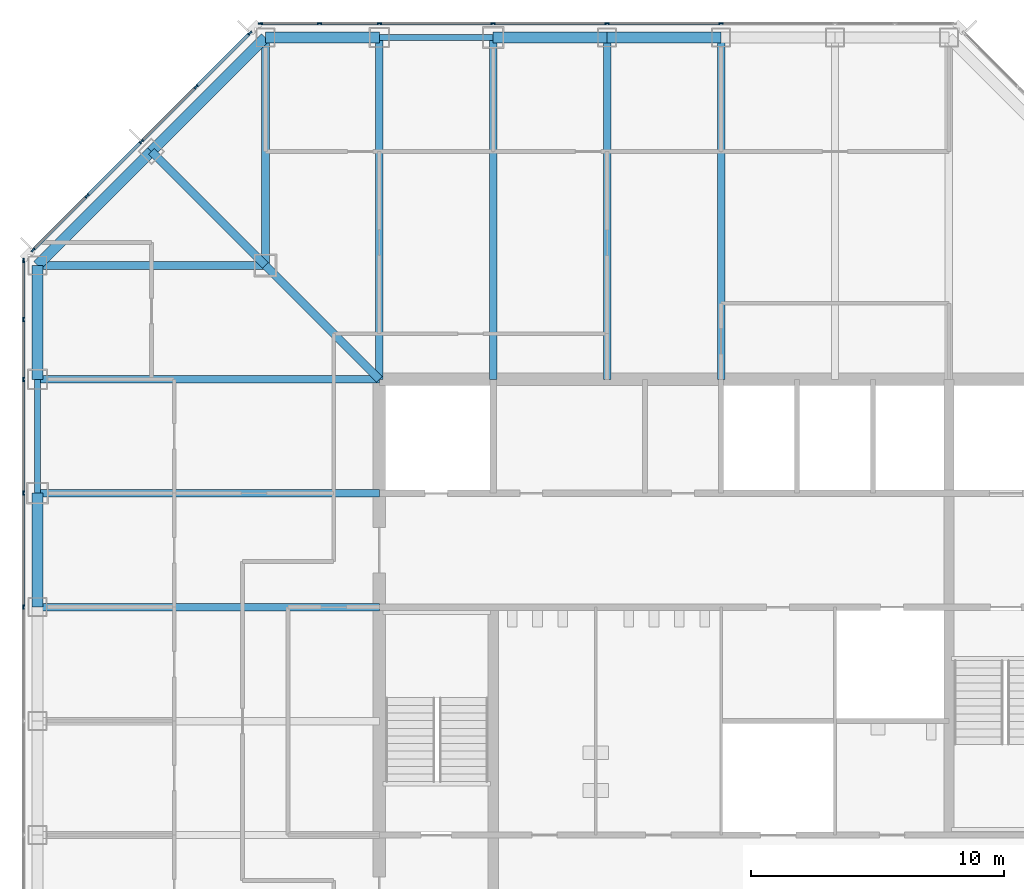
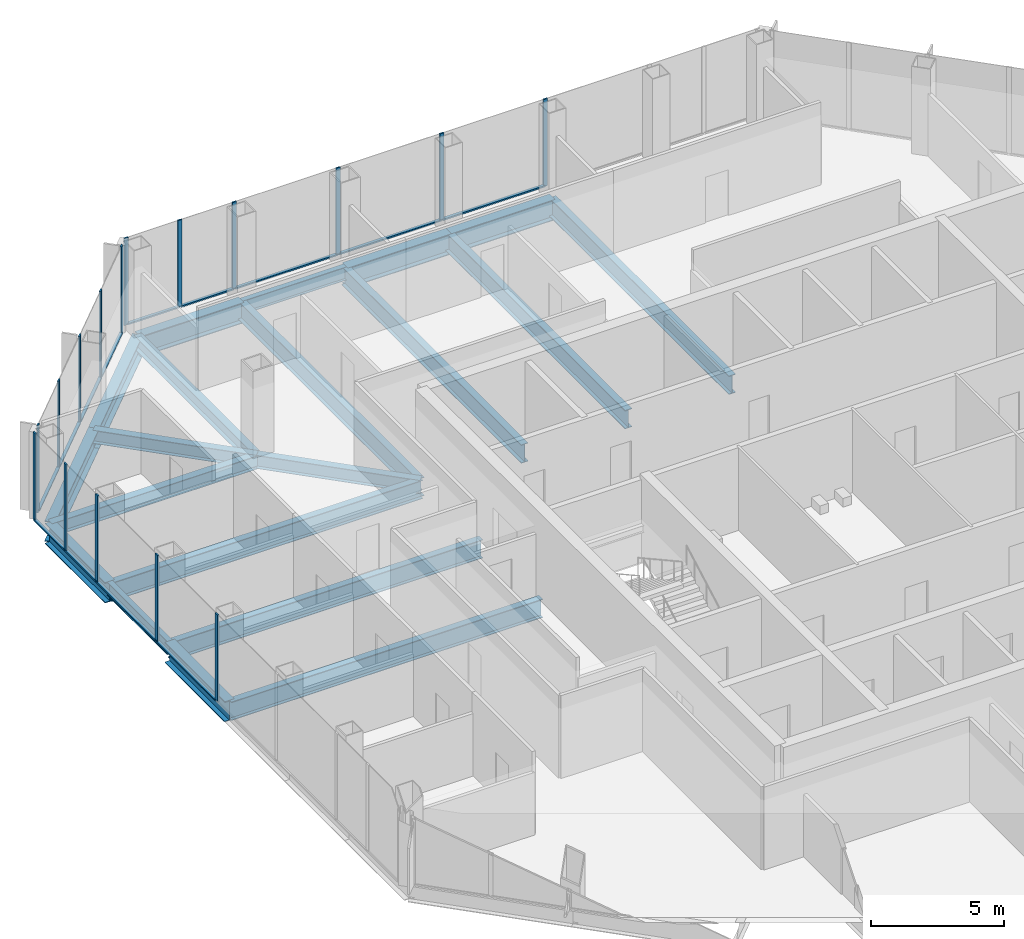
# One storey, part 5 of 13: 29 members, 20 beams, 3 elements without a shape of their own.
"""IFC4 building model written with IfcOpenShell, lengths in metres."""

from ifc_helpers import new_model, si_unit, direction, frame, origin, origin_2d, place, context, subcontext, project, spatial, rectangle, i_section, extrude, material, material_profile, profile_set, type_object, element, aggregate, save


model = new_model("IFC4")

# Units and contexts
model_context = context("Model", 3, precision=1e-05, world=origin(), true_north=direction((0.0, 1.0)))
body_context = subcontext(model_context, "Body", "Model", "MODEL_VIEW")
ifc_project = project(units=[si_unit("LENGTHUNIT", "METRE"), si_unit("AREAUNIT", "SQUARE_METRE"), si_unit("VOLUMEUNIT", "CUBIC_METRE"), si_unit("PLANEANGLEUNIT", "RADIAN"), si_unit("MASSUNIT", "GRAM", prefix="KILO")], contexts=[model_context])

# Site, building, storey
site_placement = place(None, origin())
site = spatial("IfcSite", under=ifc_project, at=site_placement, CompositionType="ELEMENT")
building_placement = place(site_placement, origin())
building = spatial("IfcBuilding", under=site, at=building_placement, Name="Corais Broadcast Tower", CompositionType="ELEMENT")
storey_placement = place(building_placement, frame((0.0, 0.0, 195.60009765625)))
storey = spatial("IfcBuildingStorey", under=building, at=storey_placement, Name="L45", CompositionType="ELEMENT", Elevation=195.60009765625)

# Beams
ifc_material_1 = material(Name="Steel ASTM A572 Grade 50", Category="steel")
ifc_material_profile_1 = material_profile(ifc_material_1, i_section(OverallWidth=0.323974609375, OverallDepth=0.611083984375, WebThickness=0.0126953125, FlangeThickness=0.01904296875, at=origin_2d()), Name="W610x155")
ifc_profile_set_1 = profile_set([ifc_material_profile_1], Name="Steel ASTM A572 Grade 50")
beam_type_1 = type_object("IfcBeamType", Name="Chamfer tie W610x155", PredefinedType="BEAM", material=ifc_profile_set_1)
beam_1_placement = place(storey_placement, frame((4.5, 49.5, -0.465576171875), z_axis=(0.707106781187, -0.707106781187, 0.0), x_axis=(0.707106781187, 0.707106781187, 0.0)))
element("IfcBeam", 1, at=beam_1_placement, inside=storey, type_object=beam_type_1, Name="B5 M/4 to L/5", PredefinedType="BEAM", context=body_context, shape_type="SweptSolid", body=[
    extrude(i_section(OverallWidth=0.323974609375, OverallDepth=0.611083984375, WebThickness=0.0126953125, FlangeThickness=0.01904296875, at=origin_2d()), origin(), (0.0, 0.0, 1.0), 6.364013671875),
])
ifc_material_2 = material(Name="Steel ASTM A572 Grade 50", Category="steel")
ifc_material_profile_2 = material_profile(ifc_material_2, i_section(OverallWidth=0.323974609375, OverallDepth=0.611083984375, WebThickness=0.0126953125, FlangeThickness=0.01904296875, at=origin_2d()), Name="W610x155")
ifc_profile_set_2 = profile_set([ifc_material_profile_2], Name="Steel ASTM A572 Grade 50")
beam_type_2 = type_object("IfcBeamType", Name="Corner diagonal W610x155", PredefinedType="BEAM", material=ifc_profile_set_2)
beam_2_placement = place(storey_placement, frame((9.0, 45.0, -0.465576171875), z_axis=(0.707106781187, -0.707106781187, 0.0), x_axis=(0.707106781187, 0.707106781187, 0.0)))
element("IfcBeam", 2, at=beam_2_placement, inside=storey, type_object=beam_type_2, Name="B6 L/5 to K/6", PredefinedType="BEAM", context=body_context, shape_type="SweptSolid", body=[
    extrude(i_section(OverallWidth=0.323974609375, OverallDepth=0.611083984375, WebThickness=0.0126953125, FlangeThickness=0.01904296875, at=origin_2d()), origin(), (0.0, 0.0, 1.0), 6.364013671875),
])
ifc_material_3 = material(Name="Steel ASTM A572 Grade 50", Category="steel")
ifc_material_profile_3 = material_profile(ifc_material_3, i_section(OverallWidth=0.323974609375, OverallDepth=0.611083984375, WebThickness=0.0126953125, FlangeThickness=0.01904296875, at=origin_2d()), Name="W610x155")
ifc_profile_set_3 = profile_set([ifc_material_profile_3], Name="Steel ASTM A572 Grade 50")
beam_type_3 = type_object("IfcBeamType", Name="Corner girder W610x155", PredefinedType="BEAM", material=ifc_profile_set_3)
for number, where, z_axis, x_axis, name in (
    (3, (0.0, 45.0, -0.465576171875), (1.0, 0.0, 0.0), (0.0, 1.0, 0.0), "B4 L/3 to L/5"),
    (4, (9.0, 54.0, -0.465576171875), (0.0, -1.0, 0.0), (1.0, 0.0, 0.0), "B4 N/5 to L/5"),
):
    element("IfcBeam", number, at=place(storey_placement, frame(where, z_axis=z_axis, x_axis=x_axis)), inside=storey, type_object=beam_type_3, Name=name, PredefinedType="BEAM", context=body_context, shape_type="SweptSolid", body=[
        extrude(i_section(OverallWidth=0.323974609375, OverallDepth=0.611083984375, WebThickness=0.0126953125, FlangeThickness=0.01904296875, at=origin_2d()), origin(), (0.0, 0.0, 1.0), 9.0),
    ])
ifc_material_4 = material(Name="Steel ASTM A572 Grade 50", Category="steel")
ifc_material_profile_4 = material_profile(ifc_material_4, i_section(OverallWidth=0.2939453125, OverallDepth=0.85107421875, WebThickness=0.01611328125, FlangeThickness=0.02685546875, at=origin_2d()), Name="W840x226")
ifc_profile_set_4 = profile_set([ifc_material_profile_4], Name="Steel ASTM A572 Grade 50")
beam_type_4 = type_object("IfcBeamType", Name="Floor beam W840x226", PredefinedType="BEAM", material=ifc_profile_set_4)
for number, where, z_axis, x_axis, name in (
    (5, (0.0, 31.5, -0.585693359375), (1.0, 0.0, 0.0), (0.0, 1.0, 0.0), "B1 H/3 to H/6"),
    (6, (0.0, 36.0, -0.585693359375), (1.0, 0.0, 0.0), (0.0, 1.0, 0.0), "B1 J/3 to J/6"),
    (7, (0.0, 40.5, -0.585693359375), (1.0, 0.0, 0.0), (0.0, 1.0, 0.0), "B1 K/3 to K/6"),
    (8, (13.5, 54.0, -0.585693359375), (0.0, -1.0, 0.0), (1.0, 0.0, 0.0), "B1 N/6 to K/6"),
    (9, (18.0, 54.0, -0.585693359375), (0.0, -1.0, 0.0), (1.0, 0.0, 0.0), "B1 N/7 to K/7"),
    (10, (22.5, 54.0, -0.585693359375), (0.0, -1.0, 0.0), (1.0, 0.0, 0.0), "B1 N/8 to K/8"),
    (11, (27.0, 54.0, -0.585693359375), (0.0, -1.0, 0.0), (1.0, 0.0, 0.0), "B1 N/9 to K/9"),
):
    element("IfcBeam", number, at=place(storey_placement, frame(where, z_axis=z_axis, x_axis=x_axis)), inside=storey, type_object=beam_type_4, Name=name, PredefinedType="BEAM", context=body_context, shape_type="SweptSolid", body=[
        extrude(i_section(OverallWidth=0.2939453125, OverallDepth=0.85107421875, WebThickness=0.01611328125, FlangeThickness=0.02685546875, at=origin_2d()), origin(), (0.0, 0.0, 1.0), 13.5),
    ])

# Curtain wall, members
ifc_material_5 = material(Name="Aluminium and glass", Category="aluminium")
curtain_wall_type = type_object("IfcCurtainWallType", Name="Unitised fritted curtain wall CW2", PredefinedType="NOTDEFINED", material=ifc_material_5)
curtain_wall_1_placement = place(storey_placement, origin())
curtain_wall_1 = element("IfcCurtainWall", 12, at=curtain_wall_1_placement, inside=storey, type_object=curtain_wall_type, Name="CW2 curtain wall L45 2", PredefinedType="NOTDEFINED")
ifc_material_6 = material(Name="Aluminium 6063-T6", Category="aluminium")
ifc_material_profile_5 = material_profile(ifc_material_6, rectangle(XDim=0.06494140625, YDim=0.179931640625, at=origin_2d()), Name="Mullion CW2 65x180")
ifc_profile_set_5 = profile_set([ifc_material_profile_5], Name="Aluminium 6063-T6")
member_type_1 = type_object("IfcMemberType", Name="Mullion CW2 65x180", PredefinedType="MULLION", material=ifc_profile_set_5)
member_1_placement = place(storey_placement, frame((-0.550048828125, 31.5, 0.0), z_axis=(0.0, 0.0, 1.0), x_axis=(-1.0, 0.0, 0.0)))
member_1 = element("IfcMember", 13, at=member_1_placement, type_object=member_type_1, Name="CW2 mullion 5", PredefinedType="MULLION", context=body_context, shape_type="SweptSolid", body=[
    extrude(rectangle(XDim=0.06494140625, YDim=0.179931640625, at=origin_2d()), origin(), (0.0, 0.0, 1.0), 4.0),
])
member_2_placement = place(storey_placement, frame((-0.550048828125, 36.0, 0.0), z_axis=(0.0, 0.0, 1.0), x_axis=(-1.0, 0.0, 0.0)))
member_2 = element("IfcMember", 14, at=member_2_placement, type_object=member_type_1, Name="CW2 mullion 6", PredefinedType="MULLION", context=body_context, shape_type="SweptSolid", body=[
    extrude(rectangle(XDim=0.06494140625, YDim=0.179931640625, at=origin_2d()), origin(), (0.0, 0.0, 1.0), 4.0),
])
member_3_placement = place(storey_placement, frame((-0.550048828125, 40.5, 0.0), z_axis=(0.0, 0.0, 1.0), x_axis=(-1.0, 0.0, 0.0)))
member_3 = element("IfcMember", 15, at=member_3_placement, type_object=member_type_1, Name="CW2 mullion 7", PredefinedType="MULLION", context=body_context, shape_type="SweptSolid", body=[
    extrude(rectangle(XDim=0.06494140625, YDim=0.179931640625, at=origin_2d()), origin(), (0.0, 0.0, 1.0), 4.0),
])
member_4_placement = place(storey_placement, frame((-0.550048828125, 42.864013671875, 0.0), z_axis=(0.0, 0.0, 1.0), x_axis=(-1.0, 0.0, 0.0)))
member_4 = element("IfcMember", 16, at=member_4_placement, type_object=member_type_1, Name="CW2 mullion 8", PredefinedType="MULLION", context=body_context, shape_type="SweptSolid", body=[
    extrude(rectangle(XDim=0.06494140625, YDim=0.179931640625, at=origin_2d()), origin(), (0.0, 0.0, 1.0), 4.0),
])
member_5_placement = place(storey_placement, frame((-0.550048828125, 45.1953125, 0.0), z_axis=(0.0, 0.0, 1.0), x_axis=(-1.0, 0.0, 0.0)))
member_5 = element("IfcMember", 17, at=member_5_placement, type_object=member_type_1, Name="CW2 mullion 9", PredefinedType="MULLION", context=body_context, shape_type="SweptSolid", body=[
    extrude(rectangle(XDim=0.06494140625, YDim=0.179931640625, at=origin_2d()), origin(), (0.0, 0.0, 1.0), 4.0),
])

curtain_wall_2_placement = place(storey_placement, origin())
curtain_wall_2 = element("IfcCurtainWall", 18, at=curtain_wall_2_placement, inside=storey, type_object=curtain_wall_type, Name="CW2 curtain wall L45 3", PredefinedType="NOTDEFINED")
member_6_placement = place(storey_placement, frame((-0.17333984375, 45.6044921875, 0.0), z_axis=(0.0, 0.0, 1.0), x_axis=(-0.707106781187, 0.707106781187, 0.0)))
member_6 = element("IfcMember", 19, at=member_6_placement, type_object=member_type_1, Name="CW2 mullion 1", PredefinedType="MULLION", context=body_context, shape_type="SweptSolid", body=[
    extrude(rectangle(XDim=0.06494140625, YDim=0.179931640625, at=origin_2d()), origin(), (0.0, 0.0, 1.0), 4.0),
])
member_7_placement = place(storey_placement, frame((1.957275390625, 47.735107421875, 0.0), z_axis=(0.0, 0.0, 1.0), x_axis=(-0.707106781187, 0.707106781187, 0.0)))
member_7 = element("IfcMember", 20, at=member_7_placement, type_object=member_type_1, Name="CW2 mullion 2", PredefinedType="MULLION", context=body_context, shape_type="SweptSolid", body=[
    extrude(rectangle(XDim=0.06494140625, YDim=0.179931640625, at=origin_2d()), origin(), (0.0, 0.0, 1.0), 4.0),
])
member_8_placement = place(storey_placement, frame((4.111083984375, 49.888916015625, 0.0), z_axis=(0.0, 0.0, 1.0), x_axis=(-0.707106781187, 0.707106781187, 0.0)))
member_8 = element("IfcMember", 21, at=member_8_placement, type_object=member_type_1, Name="CW2 mullion 3", PredefinedType="MULLION", context=body_context, shape_type="SweptSolid", body=[
    extrude(rectangle(XDim=0.06494140625, YDim=0.179931640625, at=origin_2d()), origin(), (0.0, 0.0, 1.0), 4.0),
])
member_9_placement = place(storey_placement, frame((6.264892578125, 52.042724609375, 0.0), z_axis=(0.0, 0.0, 1.0), x_axis=(-0.707106781187, 0.707106781187, 0.0)))
member_9 = element("IfcMember", 22, at=member_9_placement, type_object=member_type_1, Name="CW2 mullion 4", PredefinedType="MULLION", context=body_context, shape_type="SweptSolid", body=[
    extrude(rectangle(XDim=0.06494140625, YDim=0.179931640625, at=origin_2d()), origin(), (0.0, 0.0, 1.0), 4.0),
])
member_10_placement = place(storey_placement, frame((8.3955078125, 54.17333984375, 0.0), z_axis=(0.0, 0.0, 1.0), x_axis=(-0.707106781187, 0.707106781187, 0.0)))
member_10 = element("IfcMember", 23, at=member_10_placement, type_object=member_type_1, Name="CW2 mullion 5", PredefinedType="MULLION", context=body_context, shape_type="SweptSolid", body=[
    extrude(rectangle(XDim=0.06494140625, YDim=0.179931640625, at=origin_2d()), origin(), (0.0, 0.0, 1.0), 4.0),
])

curtain_wall_3_placement = place(storey_placement, origin())
curtain_wall_3 = element("IfcCurtainWall", 24, at=curtain_wall_3_placement, inside=storey, type_object=curtain_wall_type, Name="CW2 curtain wall L45 4", PredefinedType="NOTDEFINED")
member_11_placement = place(storey_placement, frame((8.8046875, 54.550048828125, 0.0), z_axis=(0.0, 0.0, 1.0), x_axis=(0.0, 1.0, 0.0)))
member_11 = element("IfcMember", 25, at=member_11_placement, type_object=member_type_1, Name="CW2 mullion 1", PredefinedType="MULLION", context=body_context, shape_type="SweptSolid", body=[
    extrude(rectangle(XDim=0.06494140625, YDim=0.179931640625, at=origin_2d()), origin(), (0.0, 0.0, 1.0), 4.0),
])
member_12_placement = place(storey_placement, frame((11.135986328125, 54.550048828125, 0.0), z_axis=(0.0, 0.0, 1.0), x_axis=(0.0, 1.0, 0.0)))
member_12 = element("IfcMember", 26, at=member_12_placement, type_object=member_type_1, Name="CW2 mullion 2", PredefinedType="MULLION", context=body_context, shape_type="SweptSolid", body=[
    extrude(rectangle(XDim=0.06494140625, YDim=0.179931640625, at=origin_2d()), origin(), (0.0, 0.0, 1.0), 4.0),
])
member_13_placement = place(storey_placement, frame((13.5, 54.550048828125, 0.0), z_axis=(0.0, 0.0, 1.0), x_axis=(0.0, 1.0, 0.0)))
member_13 = element("IfcMember", 27, at=member_13_placement, type_object=member_type_1, Name="CW2 mullion 3", PredefinedType="MULLION", context=body_context, shape_type="SweptSolid", body=[
    extrude(rectangle(XDim=0.06494140625, YDim=0.179931640625, at=origin_2d()), origin(), (0.0, 0.0, 1.0), 4.0),
])
member_14_placement = place(storey_placement, frame((18.0, 54.550048828125, 0.0), z_axis=(0.0, 0.0, 1.0), x_axis=(0.0, 1.0, 0.0)))
member_14 = element("IfcMember", 28, at=member_14_placement, type_object=member_type_1, Name="CW2 mullion 4", PredefinedType="MULLION", context=body_context, shape_type="SweptSolid", body=[
    extrude(rectangle(XDim=0.06494140625, YDim=0.179931640625, at=origin_2d()), origin(), (0.0, 0.0, 1.0), 4.0),
])
member_15_placement = place(storey_placement, frame((22.5, 54.550048828125, 0.0), z_axis=(0.0, 0.0, 1.0), x_axis=(0.0, 1.0, 0.0)))
member_15 = element("IfcMember", 29, at=member_15_placement, type_object=member_type_1, Name="CW2 mullion 5", PredefinedType="MULLION", context=body_context, shape_type="SweptSolid", body=[
    extrude(rectangle(XDim=0.06494140625, YDim=0.179931640625, at=origin_2d()), origin(), (0.0, 0.0, 1.0), 4.0),
])
member_16_placement = place(storey_placement, frame((27.0, 54.550048828125, 0.0), z_axis=(0.0, 0.0, 1.0), x_axis=(0.0, 1.0, 0.0)))
member_16 = element("IfcMember", 30, at=member_16_placement, type_object=member_type_1, Name="CW2 mullion 6", PredefinedType="MULLION", context=body_context, shape_type="SweptSolid", body=[
    extrude(rectangle(XDim=0.06494140625, YDim=0.179931640625, at=origin_2d()), origin(), (0.0, 0.0, 1.0), 4.0),
])

# Beams
ifc_material_7 = material(Name="Steel ASTM A572 Grade 50", Category="steel")
ifc_material_profile_6 = material_profile(ifc_material_7, i_section(OverallWidth=0.22900390625, OverallDepth=0.612060546875, WebThickness=0.011962890625, FlangeThickness=0.01953125, at=origin_2d()), Name="W610x125")
ifc_profile_set_6 = profile_set([ifc_material_profile_6], Name="Steel ASTM A572 Grade 50")
beam_type_5 = type_object("IfcBeamType", Name="Pinned spandrel W610x125", PredefinedType="BEAM", material=ifc_profile_set_6)
for number, where, z_axis, x_axis, name in (
    (31, (0.0, 40.5, -0.466064453125), (0.0, -1.0, 0.0), (1.0, 0.0, 0.0), "SB7 K/3 to J/3"),
    (32, (18.0, 54.0, -0.466064453125), (-1.0, 0.0, 0.0), (0.0, -1.0, 0.0), "SB7 N/7 to N/6"),
):
    element("IfcBeam", number, at=place(storey_placement, frame(where, z_axis=z_axis, x_axis=x_axis)), inside=storey, type_object=beam_type_5, Name=name, PredefinedType="BEAM", context=body_context, shape_type="SweptSolid", body=[
        extrude(i_section(OverallWidth=0.22900390625, OverallDepth=0.612060546875, WebThickness=0.011962890625, FlangeThickness=0.01953125, at=origin_2d()), origin(), (0.0, 0.0, 1.0), 4.5),
    ])
ifc_material_8 = material(Name="Steel ASTM A572 Grade 50", Category="steel")
ifc_material_profile_7 = material_profile(ifc_material_8, i_section(OverallWidth=0.4189453125, OverallDepth=0.94189453125, WebThickness=0.022216796875, FlangeThickness=0.03662109375, at=origin_2d()), Name="W920x345")
ifc_profile_set_7 = profile_set([ifc_material_profile_7], Name="Steel ASTM A572 Grade 50")
beam_type_6 = type_object("IfcBeamType", Name="Transfer spandrel W920x345", PredefinedType="BEAM", material=ifc_profile_set_7)
for number, where, z_axis, x_axis, name in (
    (33, (0.0, 36.0, -0.631103515625), (0.0, -1.0, 0.0), (1.0, 0.0, 0.0), "SB4 J/3 to H/3"),
    (34, (0.0, 45.0, -0.631103515625), (0.0, -1.0, 0.0), (1.0, 0.0, 0.0), "SB4 L/3 to K/3"),
    (35, (13.5, 54.0, -0.631103515625), (-1.0, 0.0, 0.0), (0.0, -1.0, 0.0), "SB4 N/6 to N/5"),
    (36, (22.5, 54.0, -0.631103515625), (-1.0, 0.0, 0.0), (0.0, -1.0, 0.0), "SB4 N/8 to N/7"),
    (37, (27.0, 54.0, -0.631103515625), (-1.0, 0.0, 0.0), (0.0, -1.0, 0.0), "SB4 N/9 to N/8"),
):
    element("IfcBeam", number, at=place(storey_placement, frame(where, z_axis=z_axis, x_axis=x_axis)), inside=storey, type_object=beam_type_6, Name=name, PredefinedType="BEAM", context=body_context, shape_type="SweptSolid", body=[
        extrude(i_section(OverallWidth=0.4189453125, OverallDepth=0.94189453125, WebThickness=0.022216796875, FlangeThickness=0.03662109375, at=origin_2d()), origin(), (0.0, 0.0, 1.0), 4.5),
    ])
for number, where, z_axis, x_axis, name in (
    (38, (4.5, 49.5, -0.631103515625), (-0.707106781187, -0.707106781187, 0.0), (0.707106781187, -0.707106781187, 0.0), "SB4 M/4 to L/3"),
    (39, (9.0, 54.0, -0.631103515625), (-0.707106781187, -0.707106781187, 0.0), (0.707106781187, -0.707106781187, 0.0), "SB4 N/5 to M/4"),
):
    element("IfcBeam", number, at=place(storey_placement, frame(where, z_axis=z_axis, x_axis=x_axis)), inside=storey, type_object=beam_type_6, Name=name, PredefinedType="BEAM", context=body_context, shape_type="SweptSolid", body=[
        extrude(i_section(OverallWidth=0.4189453125, OverallDepth=0.94189453125, WebThickness=0.022216796875, FlangeThickness=0.03662109375, at=origin_2d()), origin(), (0.0, 0.0, 1.0), 6.364013671875),
    ])

# Member
ifc_material_9 = material(Name="Aluminium 6063-T6", Category="aluminium")
ifc_material_profile_8 = material_profile(ifc_material_9, rectangle(XDim=0.1298828125, YDim=0.06494140625, at=origin_2d()), Name="Transom CW2 65x130")
ifc_profile_set_8 = profile_set([ifc_material_profile_8], Name="Aluminium 6063-T6")
member_type_2 = type_object("IfcMemberType", Name="Transom CW2 65x130", PredefinedType="USERDEFINED", material=ifc_profile_set_8)
member_17_placement = place(storey_placement, frame((-0.550048828125, 31.532470703125, 0.032470703125), z_axis=(0.0, 1.0, 0.0), x_axis=(-1.0, 0.0, 0.0)))
member_17 = element("IfcMember", 40, at=member_17_placement, type_object=member_type_2, Name="CW2 transom 5.1", ObjectType="TRANSOM", PredefinedType="USERDEFINED", context=body_context, shape_type="SweptSolid", body=[
    extrude(rectangle(XDim=0.1298828125, YDim=0.06494140625, at=origin_2d()), origin(), (0.0, 0.0, 1.0), 4.43505859375),
])

member_18_placement = place(storey_placement, frame((-0.550048828125, 36.032470703125, 0.032470703125), z_axis=(0.0, 1.0, 0.0), x_axis=(-1.0, 0.0, 0.0)))
member_18 = element("IfcMember", 41, at=member_18_placement, type_object=member_type_2, Name="CW2 transom 6.1", ObjectType="TRANSOM", PredefinedType="USERDEFINED", context=body_context, shape_type="SweptSolid", body=[
    extrude(rectangle(XDim=0.1298828125, YDim=0.06494140625, at=origin_2d()), origin(), (0.0, 0.0, 1.0), 4.43505859375),
])

member_19_placement = place(storey_placement, frame((-0.550048828125, 40.532470703125, 0.032470703125), z_axis=(0.0, 1.0, 0.0), x_axis=(-1.0, 0.0, 0.0)))
member_19 = element("IfcMember", 42, at=member_19_placement, type_object=member_type_2, Name="CW2 transom 7.1", ObjectType="TRANSOM", PredefinedType="USERDEFINED", context=body_context, shape_type="SweptSolid", body=[
    extrude(rectangle(XDim=0.1298828125, YDim=0.06494140625, at=origin_2d()), origin(), (0.0, 0.0, 1.0), 2.298828125),
])

member_20_placement = place(storey_placement, frame((-0.550048828125, 42.896484375, 0.032470703125), z_axis=(0.0, 1.0, 0.0), x_axis=(-1.0, 0.0, 0.0)))
member_20 = element("IfcMember", 43, at=member_20_placement, type_object=member_type_2, Name="CW2 transom 8.1", ObjectType="TRANSOM", PredefinedType="USERDEFINED", context=body_context, shape_type="SweptSolid", body=[
    extrude(rectangle(XDim=0.1298828125, YDim=0.06494140625, at=origin_2d()), origin(), (0.0, 0.0, 1.0), 2.266357421875),
])

aggregate(curtain_wall_1, [member_1, member_2, member_3, member_4, member_5, member_17, member_18, member_19, member_20])

member_21_placement = place(storey_placement, frame((-0.150390625, 45.62744140625, 0.032470703125), z_axis=(0.707106781187, 0.707106781187, 0.0), x_axis=(-0.707106781187, 0.707106781187, 0.0)))
member_21 = element("IfcMember", 44, at=member_21_placement, type_object=member_type_2, Name="CW2 transom 1.1", ObjectType="TRANSOM", PredefinedType="USERDEFINED", context=body_context, shape_type="SweptSolid", body=[
    extrude(rectangle(XDim=0.1298828125, YDim=0.06494140625, at=origin_2d()), origin(), (0.0, 0.0, 1.0), 2.9482421875),
])

member_22_placement = place(storey_placement, frame((1.980224609375, 47.758056640625, 0.032470703125), z_axis=(0.707106781187, 0.707106781187, 0.0), x_axis=(-0.707106781187, 0.707106781187, 0.0)))
member_22 = element("IfcMember", 45, at=member_22_placement, type_object=member_type_2, Name="CW2 transom 2.1", ObjectType="TRANSOM", PredefinedType="USERDEFINED", context=body_context, shape_type="SweptSolid", body=[
    extrude(rectangle(XDim=0.1298828125, YDim=0.06494140625, at=origin_2d()), origin(), (0.0, 0.0, 1.0), 2.98095703125),
])

member_23_placement = place(storey_placement, frame((4.134033203125, 49.911865234375, 0.032470703125), z_axis=(0.707106781187, 0.707106781187, 0.0), x_axis=(-0.707106781187, 0.707106781187, 0.0)))
member_23 = element("IfcMember", 46, at=member_23_placement, type_object=member_type_2, Name="CW2 transom 3.1", ObjectType="TRANSOM", PredefinedType="USERDEFINED", context=body_context, shape_type="SweptSolid", body=[
    extrude(rectangle(XDim=0.1298828125, YDim=0.06494140625, at=origin_2d()), origin(), (0.0, 0.0, 1.0), 2.98095703125),
])

member_24_placement = place(storey_placement, frame((6.287841796875, 52.065673828125, 0.032470703125), z_axis=(0.707106781187, 0.707106781187, 0.0), x_axis=(-0.707106781187, 0.707106781187, 0.0)))
member_24 = element("IfcMember", 47, at=member_24_placement, type_object=member_type_2, Name="CW2 transom 4.1", ObjectType="TRANSOM", PredefinedType="USERDEFINED", context=body_context, shape_type="SweptSolid", body=[
    extrude(rectangle(XDim=0.1298828125, YDim=0.06494140625, at=origin_2d()), origin(), (0.0, 0.0, 1.0), 2.9482421875),
])

aggregate(curtain_wall_2, [member_6, member_7, member_8, member_9, member_10, member_21, member_22, member_23, member_24])

member_25_placement = place(storey_placement, frame((8.837158203125, 54.550048828125, 0.032470703125), z_axis=(1.0, 0.0, 0.0), x_axis=(0.0, 1.0, 0.0)))
member_25 = element("IfcMember", 48, at=member_25_placement, type_object=member_type_2, Name="CW2 transom 1.1", ObjectType="TRANSOM", PredefinedType="USERDEFINED", context=body_context, shape_type="SweptSolid", body=[
    extrude(rectangle(XDim=0.1298828125, YDim=0.06494140625, at=origin_2d()), origin(), (0.0, 0.0, 1.0), 2.266357421875),
])

member_26_placement = place(storey_placement, frame((11.168701171875, 54.550048828125, 0.032470703125), z_axis=(1.0, 0.0, 0.0), x_axis=(0.0, 1.0, 0.0)))
member_26 = element("IfcMember", 49, at=member_26_placement, type_object=member_type_2, Name="CW2 transom 2.1", ObjectType="TRANSOM", PredefinedType="USERDEFINED", context=body_context, shape_type="SweptSolid", body=[
    extrude(rectangle(XDim=0.1298828125, YDim=0.06494140625, at=origin_2d()), origin(), (0.0, 0.0, 1.0), 2.298828125),
])

member_27_placement = place(storey_placement, frame((13.532470703125, 54.550048828125, 0.032470703125), z_axis=(1.0, 0.0, 0.0), x_axis=(0.0, 1.0, 0.0)))
member_27 = element("IfcMember", 50, at=member_27_placement, type_object=member_type_2, Name="CW2 transom 3.1", ObjectType="TRANSOM", PredefinedType="USERDEFINED", context=body_context, shape_type="SweptSolid", body=[
    extrude(rectangle(XDim=0.1298828125, YDim=0.06494140625, at=origin_2d()), origin(), (0.0, 0.0, 1.0), 4.43505859375),
])

member_28_placement = place(storey_placement, frame((18.032470703125, 54.550048828125, 0.032470703125), z_axis=(1.0, 0.0, 0.0), x_axis=(0.0, 1.0, 0.0)))
member_28 = element("IfcMember", 51, at=member_28_placement, type_object=member_type_2, Name="CW2 transom 4.1", ObjectType="TRANSOM", PredefinedType="USERDEFINED", context=body_context, shape_type="SweptSolid", body=[
    extrude(rectangle(XDim=0.1298828125, YDim=0.06494140625, at=origin_2d()), origin(), (0.0, 0.0, 1.0), 4.43505859375),
])

member_29_placement = place(storey_placement, frame((22.532470703125, 54.550048828125, 0.032470703125), z_axis=(1.0, 0.0, 0.0), x_axis=(0.0, 1.0, 0.0)))
member_29 = element("IfcMember", 52, at=member_29_placement, type_object=member_type_2, Name="CW2 transom 5.1", ObjectType="TRANSOM", PredefinedType="USERDEFINED", context=body_context, shape_type="SweptSolid", body=[
    extrude(rectangle(XDim=0.1298828125, YDim=0.06494140625, at=origin_2d()), origin(), (0.0, 0.0, 1.0), 4.43505859375),
])

aggregate(curtain_wall_3, [member_11, member_12, member_13, member_14, member_15, member_16, member_25, member_26, member_27, member_28, member_29])

save(model, "model.ifc")
